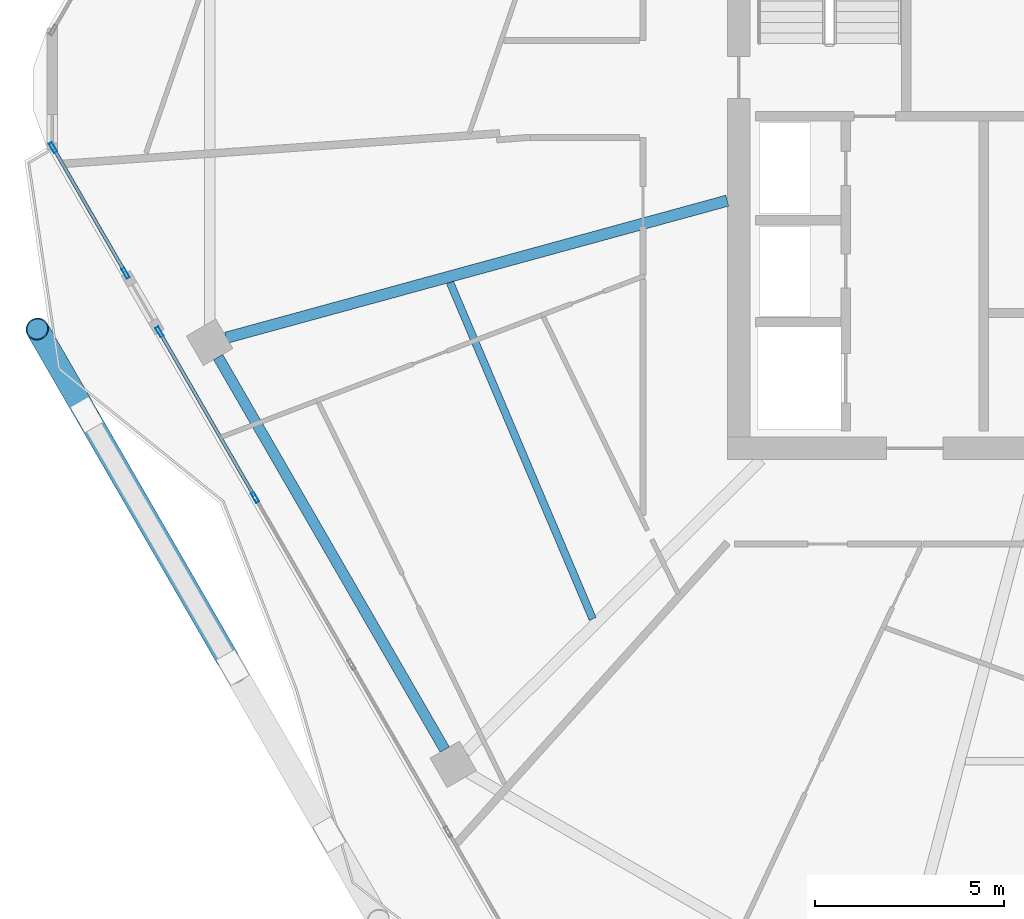
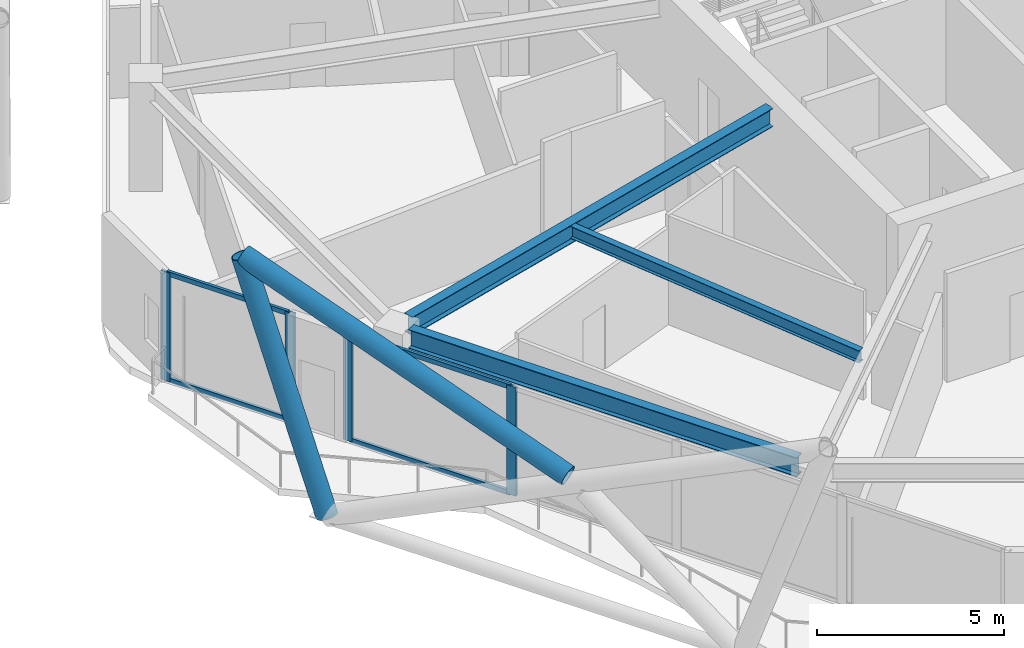
# One storey, part 5 of 27: 10 members, 3 beams, 2 elements without a shape of their own.
"""IFC4 building model written with IfcOpenShell, lengths in metres."""

from ifc_helpers import new_model, si_unit, direction, frame, origin, origin_2d, place, context, subcontext, project, spatial, hollow_rectangle, hollow_circle, i_section, extrude, material, material_profile, profile_set, type_object, element, aggregate, save


model = new_model("IFC4")

# Units and contexts
model_context = context("Model", 3, precision=1e-05, world=origin(), true_north=direction((0.0, 1.0)))
body_context = subcontext(model_context, "Body", "Model", "MODEL_VIEW")
ifc_project = project(units=[si_unit("LENGTHUNIT", "METRE"), si_unit("AREAUNIT", "SQUARE_METRE"), si_unit("VOLUMEUNIT", "CUBIC_METRE"), si_unit("PLANEANGLEUNIT", "RADIAN"), si_unit("MASSUNIT", "GRAM", prefix="KILO")], contexts=[model_context])

# Site, building, storey
site_placement = place(None, origin())
site = spatial("IfcSite", under=ifc_project, at=site_placement, CompositionType="ELEMENT")
building_placement = place(site_placement, origin())
building = spatial("IfcBuilding", under=site, at=building_placement, Name="Zuhravey Tower", CompositionType="ELEMENT")
storey_placement = place(building_placement, frame((0.0, 0.0, 238.800048828125)))
storey = spatial("IfcBuildingStorey", under=building, at=storey_placement, Name="L60", CompositionType="ELEMENT", Elevation=238.800048828125)

# Curtain wall, members
ifc_material_1 = material(Name="Thermally broken anodised aluminium", Category="aluminium")
curtain_wall_type = type_object("IfcCurtainWallType", Name="Zone 3-4 High-Rise Curtain Wall CW4", PredefinedType="NOTDEFINED", material=ifc_material_1)
curtain_wall_1_placement = place(storey_placement, origin())
curtain_wall_1 = element("IfcCurtainWall", 1, at=curtain_wall_1_placement, inside=storey, type_object=curtain_wall_type, Name="L60 CW4 CW-L60-F4-1", PredefinedType="NOTDEFINED")
ifc_material_2 = material(Name="Anodised aluminium", Category="aluminium")
ifc_material_profile_1 = material_profile(ifc_material_2, hollow_rectangle(XDim=0.090087890625, YDim=0.284912109375, WallThickness=0.0048828125, at=origin_2d()), Name="ALU-RHS-90x285x5")
ifc_profile_set_1 = profile_set([ifc_material_profile_1], Name="Anodised aluminium")
member_type_1 = type_object("IfcMemberType", Name="Curtain-Wall Mullion 90x180", PredefinedType="MULLION", material=ifc_profile_set_1)
member_1_placement = place(storey_placement, frame((12.718017578125, 21.197998046875, 0.0), z_axis=(0.0, 0.0, 1.0), x_axis=(-0.866024107098, -0.50000224592, 0.0)))
member_1 = element("IfcMember", 2, at=member_1_placement, type_object=member_type_1, Name="CW4 mullion 4", PredefinedType="MULLION", context=body_context, shape_type="SweptSolid", body=[
    extrude(hollow_rectangle(XDim=0.090087890625, YDim=0.284912109375, WallThickness=0.0048828125, at=origin_2d()), origin(), (0.0, 0.0, 1.0), 3.550048828125),
])
member_2_placement = place(storey_placement, frame((10.19091796875, 25.575439453125, 0.0), z_axis=(0.0, 0.0, 1.0), x_axis=(-0.866024107098, -0.50000224592, 0.0)))
member_2 = element("IfcMember", 3, at=member_2_placement, type_object=member_type_1, Name="CW4 mullion 5", PredefinedType="MULLION", context=body_context, shape_type="SweptSolid", body=[
    extrude(hollow_rectangle(XDim=0.090087890625, YDim=0.284912109375, WallThickness=0.0048828125, at=origin_2d()), origin(), (0.0, 0.0, 1.0), 3.550048828125),
])

curtain_wall_2_placement = place(storey_placement, origin())
curtain_wall_2 = element("IfcCurtainWall", 4, at=curtain_wall_2_placement, inside=storey, type_object=curtain_wall_type, Name="L60 CW4 CW-L60-F4-2", PredefinedType="NOTDEFINED")
member_3_placement = place(storey_placement, frame((9.2958984375, 27.125732421875, 0.0), z_axis=(0.0, 0.0, 1.0), x_axis=(-0.866024859093, -0.500000943432, 0.0)))
member_3 = element("IfcMember", 5, at=member_3_placement, type_object=member_type_1, Name="CW4 mullion 1", PredefinedType="MULLION", context=body_context, shape_type="SweptSolid", body=[
    extrude(hollow_rectangle(XDim=0.090087890625, YDim=0.284912109375, WallThickness=0.0048828125, at=origin_2d()), origin(), (0.0, 0.0, 1.0), 3.550048828125),
])
member_4_placement = place(storey_placement, frame((7.37744140625, 30.448486328125, 0.0), z_axis=(0.0, 0.0, 1.0), x_axis=(-0.866024859093, -0.500000943432, 0.0)))
member_4 = element("IfcMember", 6, at=member_4_placement, type_object=member_type_1, Name="CW4 mullion 2", PredefinedType="MULLION", context=body_context, shape_type="SweptSolid", body=[
    extrude(hollow_rectangle(XDim=0.090087890625, YDim=0.284912109375, WallThickness=0.0048828125, at=origin_2d()), origin(), (0.0, 0.0, 1.0), 3.550048828125),
])

# Member
ifc_material_profile_2 = material_profile(ifc_material_2, hollow_rectangle(XDim=0.090087890625, YDim=0.14990234375, WallThickness=0.0048828125, at=origin_2d()), Name="ALU-RHS-90x150x5")
ifc_profile_set_2 = profile_set([ifc_material_profile_2], Name="Anodised aluminium")
member_type_2 = type_object("IfcMemberType", Name="Curtain-Wall Transom 90x150", PredefinedType="USERDEFINED", material=ifc_profile_set_2)
member_5_placement = place(storey_placement, frame((12.695556640625, 21.237060546875, 0.044921875), z_axis=(-0.499973607288, 0.866040641088, 0.0), x_axis=(-0.866040641088, -0.499973607288, 0.0)))
member_5 = element("IfcMember", 7, at=member_5_placement, type_object=member_type_2, Name="CW4 transom 4.1", ObjectType="TRANSOM", PredefinedType="USERDEFINED", context=body_context, shape_type="SweptSolid", body=[
    extrude(hollow_rectangle(XDim=0.090087890625, YDim=0.14990234375, WallThickness=0.0048828125, at=origin_2d()), origin(), (0.0, 0.0, 1.0), 4.964599609375),
])

member_6_placement = place(storey_placement, frame((12.695556640625, 21.237060546875, 3.5048828125), z_axis=(-0.499973607288, 0.866040641088, 0.0), x_axis=(-0.866040641088, -0.499973607288, 0.0)))
member_6 = element("IfcMember", 8, at=member_6_placement, type_object=member_type_2, Name="CW4 transom 4.2", ObjectType="TRANSOM", PredefinedType="USERDEFINED", context=body_context, shape_type="SweptSolid", body=[
    extrude(hollow_rectangle(XDim=0.090087890625, YDim=0.14990234375, WallThickness=0.0048828125, at=origin_2d()), origin(), (0.0, 0.0, 1.0), 4.964599609375),
])

aggregate(curtain_wall_1, [member_1, member_2, member_5, member_6])

member_7_placement = place(storey_placement, frame((9.273193359375, 27.164794921875, 0.044921875), z_axis=(-0.499972513911, 0.866041272304, 0.0), x_axis=(-0.866041272304, -0.499972513911, 0.0)))
member_7 = element("IfcMember", 9, at=member_7_placement, type_object=member_type_2, Name="CW4 transom 1.1", ObjectType="TRANSOM", PredefinedType="USERDEFINED", context=body_context, shape_type="SweptSolid", body=[
    extrude(hollow_rectangle(XDim=0.090087890625, YDim=0.14990234375, WallThickness=0.0048828125, at=origin_2d()), origin(), (0.0, 0.0, 1.0), 3.746826171875),
])

member_8_placement = place(storey_placement, frame((9.273193359375, 27.164794921875, 3.5048828125), z_axis=(-0.499972513911, 0.866041272304, 0.0), x_axis=(-0.866041272304, -0.499972513911, 0.0)))
member_8 = element("IfcMember", 10, at=member_8_placement, type_object=member_type_2, Name="CW4 transom 1.2", ObjectType="TRANSOM", PredefinedType="USERDEFINED", context=body_context, shape_type="SweptSolid", body=[
    extrude(hollow_rectangle(XDim=0.090087890625, YDim=0.14990234375, WallThickness=0.0048828125, at=origin_2d()), origin(), (0.0, 0.0, 1.0), 3.746826171875),
])

aggregate(curtain_wall_2, [member_3, member_4, member_7, member_8])

# Members
ifc_material_3 = material(Name="Steel SM355", Category="steel")
ifc_material_profile_3 = material_profile(ifc_material_3, hollow_circle(Radius=0.3046875, WallThickness=0.028076171875, at=origin_2d()), Name="CHS-609.6x28")
ifc_profile_set_3 = profile_set([ifc_material_profile_3], Name="Steel SM355")
member_type_3 = type_object("IfcMemberType", Name="Exoskeleton Zone 3 Diagrid CHS610x28", PredefinedType="BRACE", material=ifc_profile_set_3)
member_9_placement = place(storey_placement, frame((8.26416015625, 23.392822265625, -0.446044921875), z_axis=(-0.163030622365, 0.282366718953, 0.945351813982), x_axis=(-0.866017274468, -0.500014080125, 0.0)))
element("IfcMember", 11, at=member_9_placement, inside=storey, type_object=member_type_3, Name="L60 Face 4 Diagrid Brace 1", PredefinedType="BRACE", context=body_context, shape_type="SweptSolid", body=[
    extrude(hollow_circle(Radius=0.3046875, WallThickness=0.028076171875, at=origin_2d()), origin(), (0.0, 0.0, 1.0), 8.001220703125),
])
member_10_placement = place(storey_placement, frame((11.988037109375, 16.943115234375, 3.437744140625), z_axis=(-0.469318707533, 0.812860915854, 0.344959537101), x_axis=(-0.866019296191, -0.500010578514, 0.0)))
element("IfcMember", 12, at=member_10_placement, inside=storey, type_object=member_type_3, Name="L60 Face 4 Split Diagrid Brace 3B", PredefinedType="BRACE", context=body_context, shape_type="SweptSolid", body=[
    extrude(hollow_circle(Radius=0.3046875, WallThickness=0.028076171875, at=origin_2d()), origin(), (0.0, 0.0, 1.0), 10.6796875),
])

# Beams
ifc_material_profile_4 = material_profile(ifc_material_3, i_section(OverallWidth=0.280029296875, OverallDepth=0.6201171875, WebThickness=0.011962890625, FlangeThickness=0.02001953125, at=origin_2d()), Name="H-620x280x12x20")
ifc_profile_set_4 = profile_set([ifc_material_profile_4], Name="Steel SM355")
beam_type_1 = type_object("IfcBeamType", Name="Perimeter Ring Beam H620x280", PredefinedType="BEAM", material=ifc_profile_set_4)
beam_1_placement = place(storey_placement, frame((11.741943359375, 24.90869140625, 3.239990234375), z_axis=(0.500017744717, -0.866015158625, 0.0), x_axis=(0.866015158625, 0.500017744717, 0.0)))
element("IfcBeam", 13, at=beam_1_placement, inside=storey, type_object=beam_type_1, Name="L60 PB3 BM-L60-PB-07", PredefinedType="BEAM", context=body_context, shape_type="SweptSolid", body=[
    extrude(i_section(OverallWidth=0.280029296875, OverallDepth=0.6201171875, WebThickness=0.011962890625, FlangeThickness=0.02001953125, at=origin_2d()), origin(), (0.0, 0.0, 1.0), 11.9755859375),
])
ifc_material_profile_5 = material_profile(ifc_material_3, i_section(OverallWidth=0.300048828125, OverallDepth=0.60009765625, WebThickness=0.011962890625, FlangeThickness=0.02001953125, at=origin_2d()), Name="H-600x300x12x20")
ifc_profile_set_5 = profile_set([ifc_material_profile_5], Name="Steel SM355")
beam_type_2 = type_object("IfcBeamType", Name="Radial Primary Girder H600x300", PredefinedType="BEAM", material=ifc_profile_set_5)
beam_2_placement = place(storey_placement, frame((25.197021484375, 29.04443359375, 3.25), z_axis=(-0.964548913045, -0.26390413855, 0.0), x_axis=(0.26390413855, -0.964548913045, 0.0)))
element("IfcBeam", 14, at=beam_2_placement, inside=storey, type_object=beam_type_2, Name="L60 RG3 BM-L60-RAD-07", PredefinedType="BEAM", context=body_context, shape_type="SweptSolid", body=[
    extrude(i_section(OverallWidth=0.300048828125, OverallDepth=0.60009765625, WebThickness=0.011962890625, FlangeThickness=0.02001953125, at=origin_2d()), origin(), (0.0, 0.0, 1.0), 13.7314453125),
])
ifc_material_profile_6 = material_profile(ifc_material_3, i_section(OverallWidth=0.199951171875, OverallDepth=0.39990234375, WebThickness=0.008056640625, FlangeThickness=0.012939453125, at=origin_2d()), Name="H-400x200x8x13")
ifc_profile_set_6 = profile_set([ifc_material_profile_6], Name="Steel SM355")
beam_type_3 = type_object("IfcBeamType", Name="Secondary Floor Joist H400x200", PredefinedType="JOIST", material=ifc_profile_set_6)
beam_3_placement = place(storey_placement, frame((17.869140625, 26.881103515625, 3.349853515625), z_axis=(0.390413493754, -0.920639616731, 0.0), x_axis=(0.920639616731, 0.390413493754, 0.0)))
element("IfcBeam", 15, at=beam_3_placement, inside=storey, type_object=beam_type_3, Name="L60 SJ2 BM-L60-SJ-07-1", PredefinedType="JOIST", context=body_context, shape_type="SweptSolid", body=[
    extrude(i_section(OverallWidth=0.199951171875, OverallDepth=0.39990234375, WebThickness=0.008056640625, FlangeThickness=0.012939453125, at=origin_2d()), origin(), (0.0, 0.0, 1.0), 9.656494140625),
])

save(model, "model.ifc")
